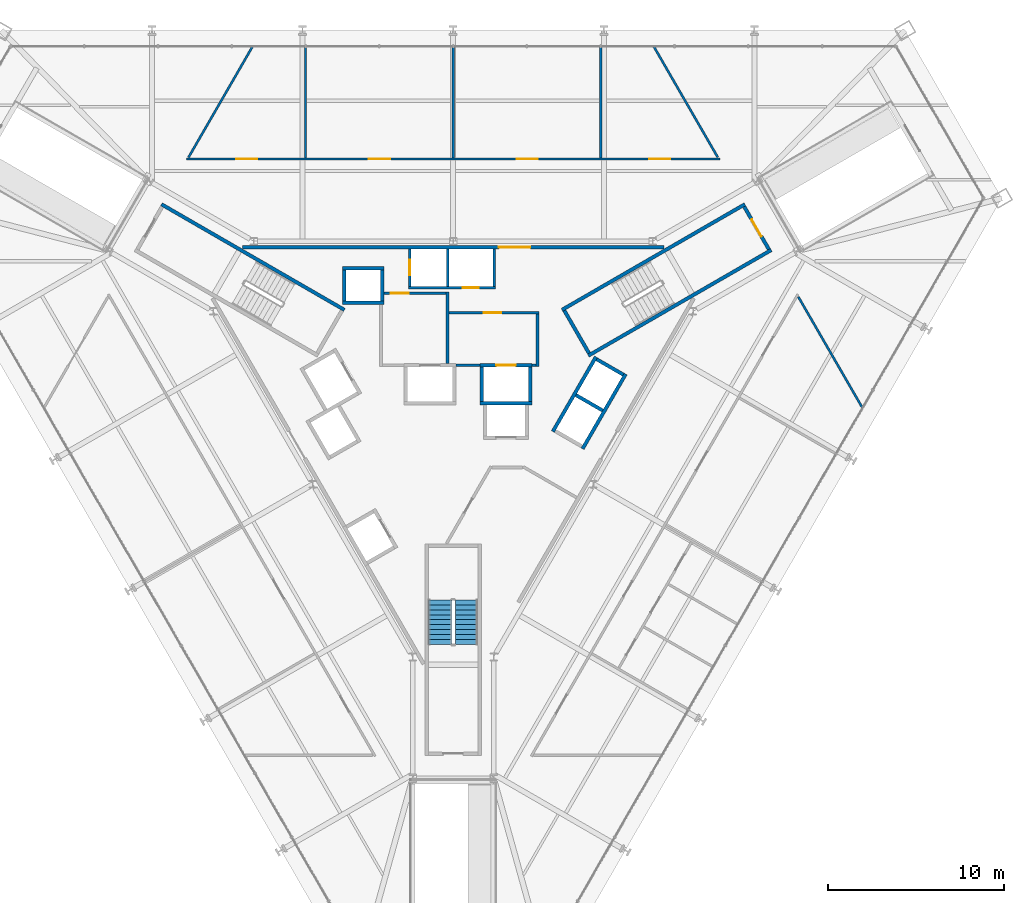
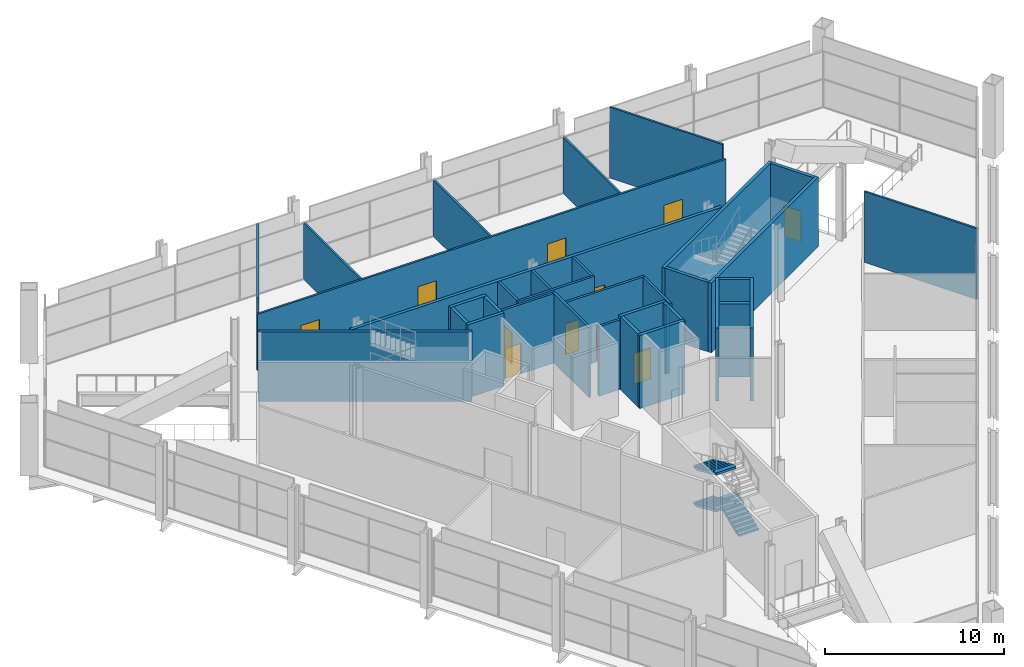
# One storey, part 14 of 20: 35 walls, 11 doors, 3 stair flights, 11 openings, 1 element without a shape of its own.
"""IFC4 building model written with IfcOpenShell, lengths in metres."""

from ifc_helpers import new_model, si_unit, direction, frame, frame_2d, origin, place, context, subcontext, project, spatial, polyline, rectangle, outline, extrude, material, layer, layer_set, type_object, element, fill, aggregate, save


model = new_model("IFC4")

# Units and contexts
model_context = context("Model", 3, precision=1e-05, world=origin(), true_north=direction((0.0, 1.0)))
body_context = subcontext(model_context, "Body", "Model", "MODEL_VIEW")
ifc_project = project(units=[si_unit("LENGTHUNIT", "METRE"), si_unit("AREAUNIT", "SQUARE_METRE"), si_unit("VOLUMEUNIT", "CUBIC_METRE"), si_unit("PLANEANGLEUNIT", "RADIAN"), si_unit("MASSUNIT", "GRAM", prefix="KILO")], contexts=[model_context])

# Site, building, storey
site_placement = place(None, origin())
site = spatial("IfcSite", under=ifc_project, at=site_placement, CompositionType="ELEMENT")
building_placement = place(site_placement, origin())
building = spatial("IfcBuilding", under=site, at=building_placement, Name="Verrane Prism Tower", CompositionType="ELEMENT")
storey_placement = place(building_placement, frame((0.0, 0.0, 17.39990234375)))
storey = spatial("IfcBuildingStorey", under=building, at=storey_placement, Name="L02", CompositionType="ELEMENT", Elevation=17.39990234375)

# Walls
ifc_material_1 = material(Name="Gypsum board partition", Category="other")
ifc_layer_1 = layer(ifc_material_1, 0.125)
ifc_layer_set_1 = layer_set([ifc_layer_1], Name="BW-125 demising wall 1 h")
wall_type_1 = type_object("IfcWallType", Name="BW-125 demising wall 1 h", PredefinedType="PARTITIONING", material=ifc_layer_set_1)
for number, where, z_axis, x_axis, name in (
    (1, (-8.383056640625, 13.9326171875, 0.0), (0.0, 0.0, 1.0), (0.0, 1.0, 0.0), "Demising wall 008"),
    (2, (0.0, 13.9326171875, 0.0), (0.0, 0.0, 1.0), (0.0, 1.0, 0.0), "Demising wall 009"),
    (3, (8.383056640625, 13.9326171875, 0.0), (0.0, 0.0, 1.0), (0.0, 1.0, 0.0), "Demising wall 013"),
):
    element("IfcWall", number, at=place(storey_placement, frame(where, z_axis=z_axis, x_axis=x_axis)), inside=storey, type_object=wall_type_1, Name=name, PredefinedType="PARTITIONING", context=body_context, shape_type="SweptSolid", body=[
        extrude(rectangle(XDim=6.33740234375, YDim=0.125, at=frame_2d((3.168701171875, 0.0))), origin(), (0.0, 0.0, 1.0), 3.85302734375),
    ])
ifc_material_2 = material(Name="Gypsum board partition", Category="other")
ifc_layer_2 = layer(ifc_material_2, 0.125)
ifc_layer_set_2 = layer_set([ifc_layer_2], Name="BW-125 shopfront wall 1 h")
wall_type_2 = type_object("IfcWallType", Name="BW-125 shopfront wall 1 h", PredefinedType="PARTITIONING", material=ifc_layer_set_2)
wall_1_placement = place(storey_placement, frame((-15.033447265625, 13.9609375, 0.0), z_axis=(0.0, 0.0, 1.0), x_axis=(0.499977739203, 0.86603825568, 0.0)))
element("IfcWall", 4, at=wall_1_placement, inside=storey, type_object=wall_type_2, Name="Shopfront wall 004", PredefinedType="PARTITIONING", context=body_context, shape_type="SweptSolid", body=[
    extrude(rectangle(XDim=7.284912109375, YDim=0.125, at=frame_2d((3.642578125, 0.0))), origin(), (0.0, 0.0, 1.0), 4.840087890625),
])

# Wall, openings, doors
wall_2_placement = place(storey_placement, frame((-15.1484375, 13.8701171875, 0.0), z_axis=(0.0, 0.0, 1.0), x_axis=(1.0, 0.0, 0.0)))
wall_2 = element("IfcWall", 5, at=wall_2_placement, inside=storey, type_object=wall_type_2, Name="Shopfront wall 005", PredefinedType="PARTITIONING", context=body_context, shape_type="SweptSolid", body=[
    extrude(rectangle(XDim=30.296875, YDim=0.125, at=frame_2d((15.1484375, 0.0))), origin(), (0.0, 0.0, 1.0), 3.85302734375),
])
opening_1_placement = place(wall_2_placement, frame((26.281494140625, 0.0, 0.0)))
opening_1 = element("IfcOpeningElement", 6, at=opening_1_placement, cuts=wall_2, Name="Opening D02001", PredefinedType="OPENING", context=body_context, shape_type="SweptSolid", body=[
    extrude(rectangle(XDim=1.199951171875, YDim=2.10009765625, at=frame_2d((0.60009765625, 1.050048828125))), frame((0.0, 0.072509765625, 0.0), z_axis=(0.0, -1.0, 0.0), x_axis=(1.0, 0.0, 0.0)), (0.0, 0.0, 1.0), 0.14501953125),
])
opening_2_placement = place(wall_2_placement, frame((18.74853515625, 0.0, 0.0)))
opening_2 = element("IfcOpeningElement", 7, at=opening_2_placement, cuts=wall_2, Name="Opening D02002", PredefinedType="OPENING", context=body_context, shape_type="SweptSolid", body=[
    extrude(rectangle(XDim=1.199951171875, YDim=2.10009765625, at=frame_2d((0.60009765625, 1.050048828125))), frame((0.0, 0.072509765625, 0.0), z_axis=(0.0, -1.0, 0.0), x_axis=(1.0, 0.0, 0.0)), (0.0, 0.0, 1.0), 0.14501953125),
])
opening_3_placement = place(wall_2_placement, frame((10.365478515625, 0.0, 0.0)))
opening_3 = element("IfcOpeningElement", 8, at=opening_3_placement, cuts=wall_2, Name="Opening D02003", PredefinedType="OPENING", context=body_context, shape_type="SweptSolid", body=[
    extrude(rectangle(XDim=1.199951171875, YDim=2.10009765625, at=frame_2d((0.60009765625, 1.050048828125))), frame((0.0, 0.072509765625, 0.0), z_axis=(0.0, -1.0, 0.0), x_axis=(1.0, 0.0, 0.0)), (0.0, 0.0, 1.0), 0.14501953125),
])
opening_4_placement = place(wall_2_placement, frame((2.8125, 0.0, 0.0)))
opening_4 = element("IfcOpeningElement", 9, at=opening_4_placement, cuts=wall_2, Name="Opening D02004", PredefinedType="OPENING", context=body_context, shape_type="SweptSolid", body=[
    extrude(rectangle(XDim=1.199951171875, YDim=2.10009765625, at=frame_2d((0.60009765625, 1.050048828125))), frame((0.0, 0.072509765625, 0.0), z_axis=(0.0, -1.0, 0.0), x_axis=(1.0, 0.0, 0.0)), (0.0, 0.0, 1.0), 0.14501953125),
])
ifc_material_3 = material(Name="Timber veneered door leaf", Category="wood")
door_type_1 = type_object("IfcDoorType", Name="DR-1200x2100 FD20 single leaf shopfront", OperationType="NOTDEFINED", PredefinedType="DOOR", material=ifc_material_3)
door_1_placement = place(opening_1_placement, origin())
door_1 = element("IfcDoor", 10, at=door_1_placement, inside=storey, type_object=door_type_1, Name="Door Shop 0201", OperationType="SINGLE_SWING_LEFT", OverallHeight=2.10009765625, OverallWidth=1.199951171875, PredefinedType="DOOR", context=body_context, shape_type="SweptSolid", body=[
    extrude(rectangle(XDim=1.199951171875, YDim=2.10009765625, at=frame_2d((0.60009765625, 1.050048828125))), frame((0.0, 0.02490234375, 0.0), z_axis=(0.0, -1.0, 0.0), x_axis=(1.0, 0.0, 0.0)), (0.0, 0.0, 1.0), 0.050048828125),
])
fill(opening_1, door_1)
door_2_placement = place(opening_2_placement, origin())
door_2 = element("IfcDoor", 11, at=door_2_placement, inside=storey, type_object=door_type_1, Name="Door Shop 0202", OperationType="SINGLE_SWING_RIGHT", OverallHeight=2.10009765625, OverallWidth=1.199951171875, PredefinedType="DOOR", context=body_context, shape_type="SweptSolid", body=[
    extrude(rectangle(XDim=1.199951171875, YDim=2.10009765625, at=frame_2d((0.60009765625, 1.050048828125))), frame((0.0, 0.02490234375, 0.0), z_axis=(0.0, -1.0, 0.0), x_axis=(1.0, 0.0, 0.0)), (0.0, 0.0, 1.0), 0.050048828125),
])
fill(opening_2, door_2)
door_3_placement = place(opening_3_placement, origin())
door_3 = element("IfcDoor", 12, at=door_3_placement, inside=storey, type_object=door_type_1, Name="Door Shop 0203", OperationType="SINGLE_SWING_LEFT", OverallHeight=2.10009765625, OverallWidth=1.199951171875, PredefinedType="DOOR", context=body_context, shape_type="SweptSolid", body=[
    extrude(rectangle(XDim=1.199951171875, YDim=2.10009765625, at=frame_2d((0.60009765625, 1.050048828125))), frame((0.0, 0.02490234375, 0.0), z_axis=(0.0, -1.0, 0.0), x_axis=(1.0, 0.0, 0.0)), (0.0, 0.0, 1.0), 0.050048828125),
])
fill(opening_3, door_3)
door_4_placement = place(opening_4_placement, origin())
door_4 = element("IfcDoor", 13, at=door_4_placement, inside=storey, type_object=door_type_1, Name="Door Shop 0204", OperationType="SINGLE_SWING_RIGHT", OverallHeight=2.10009765625, OverallWidth=1.199951171875, PredefinedType="DOOR", context=body_context, shape_type="SweptSolid", body=[
    extrude(rectangle(XDim=1.199951171875, YDim=2.10009765625, at=frame_2d((0.60009765625, 1.050048828125))), frame((0.0, 0.02490234375, 0.0), z_axis=(0.0, -1.0, 0.0), x_axis=(1.0, 0.0, 0.0)), (0.0, 0.0, 1.0), 0.050048828125),
])
fill(opening_4, door_4)

# Walls
wall_3_placement = place(storey_placement, frame((11.39111328125, 20.27001953125, 0.0), z_axis=(0.0, 0.0, 1.0), x_axis=(0.499977739203, -0.86603825568, 0.0)))
element("IfcWall", 14, at=wall_3_placement, inside=storey, type_object=wall_type_2, Name="Shopfront wall 016", PredefinedType="PARTITIONING", context=body_context, shape_type="SweptSolid", body=[
    extrude(rectangle(XDim=7.284912109375, YDim=0.125, at=frame_2d((3.642578125, 0.0))), origin(), (0.0, 0.0, 1.0), 4.840087890625),
])
wall_4_placement = place(storey_placement, frame((19.607421875, 6.0390625, 0.0), z_axis=(0.0, 0.0, 1.0), x_axis=(0.500002873931, -0.866023744513, 0.0)))
element("IfcWall", 15, at=wall_4_placement, inside=storey, type_object=wall_type_2, Name="Shopfront wall 020", PredefinedType="PARTITIONING", context=body_context, shape_type="SweptSolid", body=[
    extrude(rectangle(XDim=7.28515625, YDim=0.125, at=frame_2d((3.642578125, 0.0))), origin(), (0.0, 0.0, 1.0), 4.840087890625),
])

# Wall, opening, door
ifc_material_4 = material(Name="Gypsum board partition", Category="other")
ifc_layer_3 = layer(ifc_material_4, 0.199951171875)
ifc_layer_set_3 = layer_set([ifc_layer_3], Name="CW-200 core boundary wall 2 h")
wall_type_3 = type_object("IfcWallType", Name="CW-200 core boundary wall 2 h", PredefinedType="PARTITIONING", material=ifc_layer_set_3)
wall_5_placement = place(storey_placement, frame((11.986083984375, 8.860107421875, 0.0), z_axis=(0.0, 0.0, 1.0), x_axis=(-1.0, 0.0, 0.0)))
wall_5 = element("IfcWall", 16, at=wall_5_placement, inside=storey, type_object=wall_type_3, Name="Core boundary wall CW3-002", PredefinedType="PARTITIONING", context=body_context, shape_type="SweptSolid", body=[
    extrude(rectangle(XDim=23.967041015625, YDim=0.199951171875, at=frame_2d((11.9833984375, 0.0))), origin(), (0.0, 0.0, 1.0), 4.75),
])
opening_5_placement = place(wall_5_placement, frame((7.595947265625, 0.0, 0.0)))
opening_5 = element("IfcOpeningElement", 17, at=opening_5_placement, cuts=wall_5, Name="Opening D02509", PredefinedType="OPENING", context=body_context, shape_type="SweptSolid", body=[
    extrude(rectangle(XDim=1.800048828125, YDim=2.10009765625, at=frame_2d((0.89990234375, 1.050048828125))), frame((0.0, 0.10986328125, 0.0), z_axis=(0.0, -1.0, 0.0), x_axis=(1.0, 0.0, 0.0)), (0.0, 0.0, 1.0), 0.219970703125),
])
ifc_material_5 = material(Name="Timber veneered door leaf", Category="wood")
door_type_2 = type_object("IfcDoorType", Name="DR-1800x2100 FD60 double leaf lift lobby", OperationType="NOTDEFINED", PredefinedType="DOOR", material=ifc_material_5)
door_5_placement = place(opening_5_placement, origin())
door_5 = element("IfcDoor", 18, at=door_5_placement, inside=storey, type_object=door_type_2, Name="Lift lobby door D02509", OperationType="DOUBLE_DOOR_SINGLE_SWING", OverallHeight=2.10009765625, OverallWidth=1.800048828125, PredefinedType="DOOR", context=body_context, shape_type="SweptSolid", body=[
    extrude(rectangle(XDim=1.800048828125, YDim=2.10009765625, at=frame_2d((0.89990234375, 1.050048828125))), frame((0.0, 0.02490234375, 0.0), z_axis=(0.0, -1.0, 0.0), x_axis=(1.0, 0.0, 0.0)), (0.0, 0.0, 1.0), 0.050048828125),
])
fill(opening_5, door_5)

ifc_material_6 = material(Name="Concrete C40/50", Category="concrete")
ifc_layer_4 = layer(ifc_material_6, 0.199951171875)
ifc_layer_set_4 = layer_set([ifc_layer_4], Name="CW-200 stair core wall concrete C40/50 3 h")
wall_type_4 = type_object("IfcWallType", Name="CW-200 stair core wall concrete C40/50 3 h", PredefinedType="PARTITIONING", material=ifc_layer_set_4)
wall_6_placement = place(storey_placement, frame((17.933837890625, 8.737548828125, 0.0), z_axis=(0.0, 0.0, 1.0), x_axis=(-0.49998411664, 0.866034573852, 0.0)))
wall_6 = element("IfcWall", 19, at=wall_6_placement, inside=storey, type_object=wall_type_4, Name="Stair 1 enclosure wall", PredefinedType="PARTITIONING", context=body_context, shape_type="SweptSolid", body=[
    extrude(rectangle(XDim=2.7998046875, YDim=0.199951171875, at=frame_2d((1.39990234375, 0.0))), origin(), (0.0, 0.0, 1.0), 4.75),
])
opening_6_placement = place(wall_6_placement, frame((0.849853515625, 0.0, 0.0)))
opening_6 = element("IfcOpeningElement", 20, at=opening_6_placement, cuts=wall_6, Name="Opening D02500", PredefinedType="OPENING", context=body_context, shape_type="SweptSolid", body=[
    extrude(rectangle(XDim=1.10009765625, YDim=2.10009765625, at=frame_2d((0.550048828125, 1.050048828125))), frame((0.0, 0.10986328125, 0.0), z_axis=(0.0, -1.0, 0.0), x_axis=(1.0, 0.0, 0.0)), (0.0, 0.0, 1.0), 0.219970703125),
])
ifc_material_7 = material(Name="Timber veneered door leaf", Category="wood")
door_type_3 = type_object("IfcDoorType", Name="DR-1100x2100 FD90 single leaf stair", OperationType="NOTDEFINED", PredefinedType="DOOR", material=ifc_material_7)
door_6_placement = place(opening_6_placement, origin())
door_6 = element("IfcDoor", 21, at=door_6_placement, inside=storey, type_object=door_type_3, Name="Stair 1 door", OperationType="SINGLE_SWING_LEFT", OverallHeight=2.10009765625, OverallWidth=1.10009765625, PredefinedType="DOOR", context=body_context, shape_type="SweptSolid", body=[
    extrude(rectangle(XDim=1.10009765625, YDim=2.10009765625, at=frame_2d((0.550048828125, 1.050048828125))), frame((0.0, 0.02490234375, 0.0), z_axis=(0.0, -1.0, 0.0), x_axis=(1.0, 0.0, 0.0)), (0.0, 0.0, 1.0), 0.050048828125),
])
fill(opening_6, door_6)

# Walls
for number, where, z_axis, x_axis, name in (
    (22, (6.17822265625, 5.299072265625, 0.0), (0.0, 0.0, 1.0), (0.866026010844, 0.49999894854, 0.0), "Stair 1 enclosure wall"),
    (23, (7.67822265625, 2.700927734375, 0.0), (0.0, 0.0, 1.0), (0.866026010844, 0.49999894854, 0.0), "Stair 1 enclosure wall"),
):
    element("IfcWall", number, at=place(storey_placement, frame(where, z_axis=z_axis, x_axis=x_axis)), inside=storey, type_object=wall_type_4, Name=name, PredefinedType="PARTITIONING", context=body_context, shape_type="SweptSolid", body=[
        extrude(rectangle(XDim=12.0, YDim=0.199951171875, at=frame_2d((6.0, 0.0))), origin(), (0.0, 0.0, 1.0), 4.75),
    ])
wall_7_placement = place(storey_placement, frame((7.71484375, 2.837646484375, 0.0), z_axis=(0.0, 0.0, 1.0), x_axis=(-0.500049511043, 0.865996816683, 0.0)))
element("IfcWall", 24, at=wall_7_placement, inside=storey, type_object=wall_type_4, Name="Stair 1 enclosure wall", PredefinedType="PARTITIONING", context=body_context, shape_type="SweptSolid", body=[
    extrude(rectangle(XDim=2.800048828125, YDim=0.199951171875, at=frame_2d((1.39990234375, 0.0))), origin(), (0.0, 0.0, 1.0), 4.75),
])
wall_8_placement = place(storey_placement, frame((-6.17822265625, 5.299072265625, 0.0), z_axis=(0.0, 0.0, 1.0), x_axis=(-0.866026010844, 0.49999894854, 0.0)))
element("IfcWall", 25, at=wall_8_placement, inside=storey, type_object=wall_type_4, Name="Stair 2 enclosure wall", PredefinedType="PARTITIONING", context=body_context, shape_type="SweptSolid", body=[
    extrude(rectangle(XDim=12.0, YDim=0.199951171875, at=frame_2d((6.0, 0.0))), origin(), (0.0, 0.0, 1.0), 4.75),
])
ifc_material_8 = material(Name="Gypsum board shaft wall assembly", Category="other")
ifc_layer_5 = layer(ifc_material_8, 0.199951171875)
ifc_layer_set_5 = layer_set([ifc_layer_5], Name="HW-200 lift shaft wall 2 h")
wall_type_5 = type_object("IfcWallType", Name="HW-200 lift shaft wall 2 h", PredefinedType="PARTITIONING", material=ifc_layer_set_5)
wall_9_placement = place(storey_placement, frame((1.52490234375, 0.0, 0.0), z_axis=(0.0, 0.0, 1.0), x_axis=(1.0, 0.0, 0.0)))
element("IfcWall", 26, at=wall_9_placement, inside=storey, type_object=wall_type_5, Name="Lift shaft wall", PredefinedType="PARTITIONING", context=body_context, shape_type="SweptSolid", body=[
    extrude(rectangle(XDim=2.9501953125, YDim=0.199951171875, at=frame_2d((1.47509765625, 0.0))), origin(), (0.0, 0.0, 1.0), 5.0),
])

# Wall, opening, door
wall_10_placement = place(storey_placement, frame((1.52490234375, 2.14990234375, 0.0), z_axis=(0.0, 0.0, 1.0), x_axis=(1.0, 0.0, 0.0)))
wall_10 = element("IfcWall", 27, at=wall_10_placement, inside=storey, type_object=wall_type_5, Name="Lift shaft wall", PredefinedType="PARTITIONING", context=body_context, shape_type="SweptSolid", body=[
    extrude(rectangle(XDim=2.9501953125, YDim=0.199951171875, at=frame_2d((1.47509765625, 0.0))), origin(), (0.0, 0.0, 1.0), 5.0),
])
opening_7_placement = place(wall_10_placement, frame((0.925048828125, 0.0, 0.0)))
opening_7 = element("IfcOpeningElement", 28, at=opening_7_placement, cuts=wall_10, Name="Opening D02504", PredefinedType="OPENING", context=body_context, shape_type="SweptSolid", body=[
    extrude(rectangle(XDim=1.10009765625, YDim=2.10009765625, at=frame_2d((0.550048828125, 1.050048828125))), frame((0.0, 0.10986328125, 0.0), z_axis=(0.0, -1.0, 0.0), x_axis=(1.0, 0.0, 0.0)), (0.0, 0.0, 1.0), 0.219970703125),
])
ifc_material_9 = material(Name="Stainless steel sliding landing door", Category="steel")
door_type_4 = type_object("IfcDoorType", Name="LD-1100x2100 lift landing door FD90 sliding", OperationType="NOTDEFINED", PredefinedType="DOOR", material=ifc_material_9)
door_7_placement = place(opening_7_placement, origin())
door_7 = element("IfcDoor", 29, at=door_7_placement, inside=storey, type_object=door_type_4, Name="Fire service lift 2 landing door", OperationType="SLIDING_TO_RIGHT", OverallHeight=2.10009765625, OverallWidth=1.10009765625, PredefinedType="DOOR", context=body_context, shape_type="SweptSolid", body=[
    extrude(rectangle(XDim=1.10009765625, YDim=2.10009765625, at=frame_2d((0.550048828125, 1.050048828125))), frame((0.0, 0.02490234375, 0.0), z_axis=(0.0, -1.0, 0.0), x_axis=(1.0, 0.0, 0.0)), (0.0, 0.0, 1.0), 0.050048828125),
])
fill(opening_7, door_7)

# Walls
for number, where, z_axis, x_axis, name in (
    (30, (-6.284912109375, 5.7099609375, 0.0), (0.0, 0.0, 1.0), (1.0, 0.0, 0.0), "Lift shaft wall"),
    (31, (-6.284912109375, 7.659912109375, 0.0), (0.0, 0.0, 1.0), (1.0, 0.0, 0.0), "Lift shaft wall"),
):
    element("IfcWall", number, at=place(storey_placement, frame(where, z_axis=z_axis, x_axis=x_axis)), inside=storey, type_object=wall_type_5, Name=name, PredefinedType="PARTITIONING", context=body_context, shape_type="SweptSolid", body=[
        extrude(rectangle(XDim=2.349853515625, YDim=0.199951171875, at=frame_2d((1.1748046875, 0.0))), origin(), (0.0, 0.0, 1.0), 5.0),
    ])
wall_11_placement = place(storey_placement, frame((7.351318359375, -2.587158203125, 0.0), z_axis=(0.0, 0.0, 1.0), x_axis=(0.500002801628, 0.866023786258, 0.0)))
element("IfcWall", 32, at=wall_11_placement, inside=storey, type_object=wall_type_5, Name="Lift shaft wall", PredefinedType="PARTITIONING", context=body_context, shape_type="SweptSolid", body=[
    extrude(rectangle(XDim=4.89990234375, YDim=0.199951171875, at=frame_2d((2.449951171875, 0.0))), origin(), (0.0, 0.0, 1.0), 5.0),
])
wall_12_placement = place(storey_placement, frame((5.66259765625, -1.6123046875, 0.0), z_axis=(0.0, 0.0, 1.0), x_axis=(0.49998122708, 0.866036242063, 0.0)))
element("IfcWall", 33, at=wall_12_placement, inside=storey, type_object=wall_type_5, Name="Lift shaft wall", PredefinedType="PARTITIONING", context=body_context, shape_type="SweptSolid", body=[
    extrude(rectangle(XDim=4.900146484375, YDim=0.199951171875, at=frame_2d((2.4501953125, 0.0))), origin(), (0.0, 0.0, 1.0), 5.0),
])
for number, where, z_axis, x_axis, name in (
    (34, (4.375, 0.10009765625, 0.0), (0.0, 0.0, 1.0), (0.0, 1.0, 0.0), "Lift shaft wall"),
    (35, (1.625, 0.10009765625, 0.0), (0.0, 0.0, 1.0), (0.0, 1.0, 0.0), "Lift shaft wall"),
):
    element("IfcWall", number, at=place(storey_placement, frame(where, z_axis=z_axis, x_axis=x_axis)), inside=storey, type_object=wall_type_5, Name=name, PredefinedType="PARTITIONING", context=body_context, shape_type="SweptSolid", body=[
        extrude(rectangle(XDim=1.949951171875, YDim=0.199951171875, at=frame_2d((0.97509765625, 0.0))), origin(), (0.0, 0.0, 1.0), 5.0),
    ])
for number, where, z_axis, x_axis, name in (
    (36, (-4.034912109375, 5.81005859375, 0.0), (0.0, 0.0, 1.0), (0.0, 1.0, 0.0), "Lift shaft wall"),
    (37, (-6.18505859375, 5.81005859375, 0.0), (0.0, 0.0, 1.0), (0.0, 1.0, 0.0), "Lift shaft wall"),
):
    element("IfcWall", number, at=place(storey_placement, frame(where, z_axis=z_axis, x_axis=x_axis)), inside=storey, type_object=wall_type_5, Name=name, PredefinedType="PARTITIONING", context=body_context, shape_type="SweptSolid", body=[
        extrude(rectangle(XDim=1.75, YDim=0.199951171875, at=frame_2d((0.875, 0.0))), origin(), (0.0, 0.0, 1.0), 5.0),
    ])
wall_13_placement = place(storey_placement, frame((9.66455078125, 1.61962890625, 0.0), z_axis=(0.0, 0.0, 1.0), x_axis=(-0.866002029911, 0.500040482552, 0.0)))
element("IfcWall", 38, at=wall_13_placement, inside=storey, type_object=wall_type_5, Name="Lift shaft wall", PredefinedType="PARTITIONING", context=body_context, shape_type="SweptSolid", body=[
    extrude(rectangle(XDim=1.749755859375, YDim=0.199951171875, at=frame_2d((0.875, 0.0))), origin(), (0.0, 0.0, 1.0), 5.0),
])
wall_14_placement = place(storey_placement, frame((8.48974609375, -0.41552734375, 0.0), z_axis=(0.0, 0.0, 1.0), x_axis=(-0.866036909293, 0.499980071345, 0.0)))
element("IfcWall", 39, at=wall_14_placement, inside=storey, type_object=wall_type_5, Name="Lift shaft wall", PredefinedType="PARTITIONING", context=body_context, shape_type="SweptSolid", body=[
    extrude(rectangle(XDim=1.75, YDim=0.199951171875, at=frame_2d((0.875, 0.0))), origin(), (0.0, 0.0, 1.0), 5.0),
])

# Wall, opening, door
ifc_material_10 = material(Name="Gypsum board partition", Category="other")
ifc_layer_6 = layer(ifc_material_10, 0.14990234375)
ifc_layer_set_6 = layer_set([ifc_layer_6], Name="LF-150 firefighting lobby wall 1 h")
wall_type_6 = type_object("IfcWallType", Name="LF-150 firefighting lobby wall 1 h", PredefinedType="PARTITIONING", material=ifc_layer_set_6)
wall_15_placement = place(storey_placement, frame((-3.93310546875, 6.239990234375, 0.0), z_axis=(0.0, 0.0, 1.0), x_axis=(1.0, 0.0, 0.0)))
wall_15 = element("IfcWall", 40, at=wall_15_placement, inside=storey, type_object=wall_type_6, Name="Firefighting lobby wall LF1-003", PredefinedType="PARTITIONING", context=body_context, shape_type="SweptSolid", body=[
    extrude(rectangle(XDim=3.5380859375, YDim=0.14990234375, at=frame_2d((1.76904296875, 0.0))), origin(), (0.0, 0.0, 1.0), 4.75),
])
opening_8_placement = place(wall_15_placement, frame((0.39990234375, 0.0, 0.0)))
opening_8 = element("IfcOpeningElement", 41, at=opening_8_placement, cuts=wall_15, Name="Opening D02510", PredefinedType="OPENING", context=body_context, shape_type="SweptSolid", body=[
    extrude(rectangle(XDim=1.0, YDim=2.10009765625, at=frame_2d((0.5, 1.050048828125))), frame((0.0, 0.0849609375, 0.0), z_axis=(0.0, -1.0, 0.0), x_axis=(1.0, 0.0, 0.0)), (0.0, 0.0, 1.0), 0.169921875),
])
ifc_material_11 = material(Name="Timber veneered door leaf", Category="wood")
door_type_5 = type_object("IfcDoorType", Name="DR-1000x2100 FD60 single leaf firefighting lobby", OperationType="NOTDEFINED", PredefinedType="DOOR", material=ifc_material_11)
door_8_placement = place(opening_8_placement, origin())
door_8 = element("IfcDoor", 42, at=door_8_placement, inside=storey, type_object=door_type_5, Name="Firefighting lobby door D02510", OperationType="SINGLE_SWING_LEFT", OverallHeight=2.10009765625, OverallWidth=1.0, PredefinedType="DOOR", context=body_context, shape_type="SweptSolid", body=[
    extrude(rectangle(XDim=1.0, YDim=2.10009765625, at=frame_2d((0.5, 1.050048828125))), frame((0.0, 0.02490234375, 0.0), z_axis=(0.0, -1.0, 0.0), x_axis=(1.0, 0.0, 0.0)), (0.0, 0.0, 1.0), 0.050048828125),
])
fill(opening_8, door_8)

# Wall
wall_16_placement = place(storey_placement, frame((-0.320068359375, 2.251953125, 0.0), z_axis=(0.0, 0.0, 1.0), x_axis=(0.0, 1.0, 0.0)))
element("IfcWall", 43, at=wall_16_placement, inside=storey, type_object=wall_type_6, Name="Firefighting lobby wall LF1-004", PredefinedType="PARTITIONING", context=body_context, shape_type="SweptSolid", body=[
    extrude(rectangle(XDim=4.06298828125, YDim=0.14990234375, at=frame_2d((2.031494140625, 0.0))), origin(), (0.0, 0.0, 1.0), 4.75),
])

# Wall, opening, door
wall_17_placement = place(storey_placement, frame((-0.2451171875, 5.139892578125, 0.0), z_axis=(0.0, 0.0, 1.0), x_axis=(1.0, 0.0, 0.0)))
wall_17 = element("IfcWall", 44, at=wall_17_placement, inside=storey, type_object=wall_type_6, Name="Firefighting lobby wall LF1-005", PredefinedType="PARTITIONING", context=body_context, shape_type="SweptSolid", body=[
    extrude(rectangle(XDim=5.110107421875, YDim=0.14990234375, at=frame_2d((2.55517578125, 0.0))), origin(), (0.0, 0.0, 1.0), 4.75),
])
opening_9_placement = place(wall_17_placement, frame((1.97509765625, 0.0, 0.0)))
opening_9 = element("IfcOpeningElement", 45, at=opening_9_placement, cuts=wall_17, Name="Opening D02514", PredefinedType="OPENING", context=body_context, shape_type="SweptSolid", body=[
    extrude(rectangle(XDim=1.0, YDim=2.10009765625, at=frame_2d((0.5, 1.050048828125))), frame((0.0, 0.0849609375, 0.0), z_axis=(0.0, -1.0, 0.0), x_axis=(1.0, 0.0, 0.0)), (0.0, 0.0, 1.0), 0.169921875),
])
door_9_placement = place(opening_9_placement, origin())
door_9 = element("IfcDoor", 46, at=door_9_placement, inside=storey, type_object=door_type_5, Name="Firefighting lobby door D02514", OperationType="SINGLE_SWING_RIGHT", OverallHeight=2.10009765625, OverallWidth=1.0, PredefinedType="DOOR", context=body_context, shape_type="SweptSolid", body=[
    extrude(rectangle(XDim=1.0, YDim=2.10009765625, at=frame_2d((0.5, 1.050048828125))), frame((0.0, 0.02490234375, 0.0), z_axis=(0.0, -1.0, 0.0), x_axis=(1.0, 0.0, 0.0)), (0.0, 0.0, 1.0), 0.050048828125),
])
fill(opening_9, door_9)

# Walls
wall_18_placement = place(storey_placement, frame((0.1669921875, 2.159912109375, 0.0), z_axis=(0.0, 0.0, 1.0), x_axis=(1.0, 0.0, 0.0)))
element("IfcWall", 47, at=wall_18_placement, inside=storey, type_object=wall_type_6, Name="Firefighting lobby wall LF1-006", PredefinedType="PARTITIONING", context=body_context, shape_type="SweptSolid", body=[
    extrude(rectangle(XDim=1.35595703125, YDim=0.14990234375, at=frame_2d((0.677978515625, 0.0))), origin(), (0.0, 0.0, 1.0), 4.75),
])
wall_19_placement = place(storey_placement, frame((4.47705078125, 2.159912109375, 0.0), z_axis=(0.0, 0.0, 1.0), x_axis=(1.0, 0.0, 0.0)))
element("IfcWall", 48, at=wall_19_placement, inside=storey, type_object=wall_type_6, Name="Firefighting lobby wall LF1-007", PredefinedType="PARTITIONING", context=body_context, shape_type="SweptSolid", body=[
    extrude(rectangle(XDim=0.238037109375, YDim=0.14990234375, at=frame_2d((0.119140625, 0.0))), origin(), (0.0, 0.0, 1.0), 4.75),
])
wall_20_placement = place(storey_placement, frame((4.7900390625, 2.0849609375, 0.0), z_axis=(0.0, 0.0, 1.0), x_axis=(0.0, 1.0, 0.0)))
element("IfcWall", 49, at=wall_20_placement, inside=storey, type_object=wall_type_6, Name="Firefighting lobby wall LF1-008", PredefinedType="PARTITIONING", context=body_context, shape_type="SweptSolid", body=[
    extrude(rectangle(XDim=2.97998046875, YDim=0.14990234375, at=frame_2d((1.489990234375, 0.0))), origin(), (0.0, 0.0, 1.0), 4.75),
])

# Wall, opening, door
ifc_material_12 = material(Name="Gypsum board partition", Category="other")
ifc_layer_7 = layer(ifc_material_12, 0.14990234375)
ifc_layer_set_7 = layer_set([ifc_layer_7], Name="RS-150 riser enclosure wall 1 h")
wall_type_7 = type_object("IfcWallType", Name="RS-150 riser enclosure wall 1 h", PredefinedType="PARTITIONING", material=ifc_layer_set_7)
wall_21_placement = place(storey_placement, frame((-2.4599609375, 8.760009765625, 0.0), z_axis=(0.0, 0.0, 1.0), x_axis=(0.0, -1.0, 0.0)))
wall_21 = element("IfcWall", 50, at=wall_21_placement, inside=storey, type_object=wall_type_7, Name="Riser wall RS3-001", PredefinedType="PARTITIONING", context=body_context, shape_type="SweptSolid", body=[
    extrude(rectangle(XDim=2.125, YDim=0.14990234375, at=frame_2d((1.0625, 0.0))), origin(), (0.0, 0.0, 1.0), 4.75),
])
opening_10_placement = place(wall_21_placement, frame((0.60009765625, 0.0, 0.0)))
opening_10 = element("IfcOpeningElement", 51, at=opening_10_placement, cuts=wall_21, Name="Opening D02511", PredefinedType="OPENING", context=body_context, shape_type="SweptSolid", body=[
    extrude(rectangle(XDim=0.89990234375, YDim=2.10009765625, at=frame_2d((0.449951171875, 1.050048828125))), frame((0.0, 0.0849609375, 0.0), z_axis=(0.0, -1.0, 0.0), x_axis=(1.0, 0.0, 0.0)), (0.0, 0.0, 1.0), 0.169921875),
])
ifc_material_13 = material(Name="Timber veneered door leaf", Category="wood")
door_type_6 = type_object("IfcDoorType", Name="DR-900x2100 FD60 single leaf riser", OperationType="NOTDEFINED", PredefinedType="DOOR", material=ifc_material_13)
door_10_placement = place(opening_10_placement, origin())
door_10 = element("IfcDoor", 52, at=door_10_placement, inside=storey, type_object=door_type_6, Name="Riser door D02511", OperationType="SINGLE_SWING_RIGHT", OverallHeight=2.10009765625, OverallWidth=0.89990234375, PredefinedType="DOOR", context=body_context, shape_type="SweptSolid", body=[
    extrude(rectangle(XDim=0.89990234375, YDim=2.10009765625, at=frame_2d((0.449951171875, 1.050048828125))), frame((0.0, 0.02490234375, 0.0), z_axis=(0.0, -1.0, 0.0), x_axis=(1.0, 0.0, 0.0)), (0.0, 0.0, 1.0), 0.050048828125),
])
fill(opening_10, door_10)

wall_22_placement = place(storey_placement, frame((-2.534912109375, 6.56005859375, 0.0), z_axis=(0.0, 0.0, 1.0), x_axis=(1.0, 0.0, 0.0)))
wall_22 = element("IfcWall", 53, at=wall_22_placement, inside=storey, type_object=wall_type_7, Name="Riser wall RS3-002", PredefinedType="PARTITIONING", context=body_context, shape_type="SweptSolid", body=[
    extrude(rectangle(XDim=4.949951171875, YDim=0.14990234375, at=frame_2d((2.47509765625, 0.0))), origin(), (0.0, 0.0, 1.0), 4.75),
])
opening_11_placement = place(wall_22_placement, frame((3.0849609375, 0.0, 0.0)))
opening_11 = element("IfcOpeningElement", 54, at=opening_11_placement, cuts=wall_22, Name="Opening D02512", PredefinedType="OPENING", context=body_context, shape_type="SweptSolid", body=[
    extrude(rectangle(XDim=0.89990234375, YDim=2.10009765625, at=frame_2d((0.449951171875, 1.050048828125))), frame((0.0, 0.0849609375, 0.0), z_axis=(0.0, -1.0, 0.0), x_axis=(1.0, 0.0, 0.0)), (0.0, 0.0, 1.0), 0.169921875),
])
door_11_placement = place(opening_11_placement, origin())
door_11 = element("IfcDoor", 55, at=door_11_placement, inside=storey, type_object=door_type_6, Name="Riser door D02512", OperationType="SINGLE_SWING_RIGHT", OverallHeight=2.10009765625, OverallWidth=0.89990234375, PredefinedType="DOOR", context=body_context, shape_type="SweptSolid", body=[
    extrude(rectangle(XDim=0.89990234375, YDim=2.10009765625, at=frame_2d((0.449951171875, 1.050048828125))), frame((0.0, 0.02490234375, 0.0), z_axis=(0.0, -1.0, 0.0), x_axis=(1.0, 0.0, 0.0)), (0.0, 0.0, 1.0), 0.050048828125),
])
fill(opening_11, door_11)

# Walls
for number, where, z_axis, x_axis, name in (
    (56, (-0.300048828125, 6.635009765625, 0.0), (0.0, 0.0, 1.0), (0.0, 1.0, 0.0), "Riser wall RS3-004"),
    (57, (2.340087890625, 6.635009765625, 0.0), (0.0, 0.0, 1.0), (0.0, 1.0, 0.0), "Riser wall RS3-006"),
):
    element("IfcWall", number, at=place(storey_placement, frame(where, z_axis=z_axis, x_axis=x_axis)), inside=storey, type_object=wall_type_7, Name=name, PredefinedType="PARTITIONING", context=body_context, shape_type="SweptSolid", body=[
        extrude(rectangle(XDim=2.125, YDim=0.14990234375, at=frame_2d((1.0625, 0.0))), origin(), (0.0, 0.0, 1.0), 4.75),
    ])

# Stair, stair flights
ifc_material_14 = material(Name="Concrete C40/50", Category="concrete")
stair_type = type_object("IfcStairType", Name="Exit stair 1300 dog-leg precast concrete C40/50", PredefinedType="HALF_TURN_STAIR", material=ifc_material_14)
stair_placement = place(storey_placement, origin())
stair = element("IfcStair", 58, at=stair_placement, inside=storey, type_object=stair_type, Name="Stair 3 L02", PredefinedType="HALF_TURN_STAIR")
ifc_material_15 = material(Name="Concrete C40/50", Category="concrete")
stair_flight_type = type_object("IfcStairFlightType", Name="Stair flight 1300 precast concrete C40/50", PredefinedType="STRAIGHT", material=ifc_material_15)
stair_flight_1_placement = place(storey_placement, frame((0.75, -13.699951171875, 0.0), z_axis=(0.0, 0.0, 1.0), x_axis=(0.0, 1.0, 0.0)))
stair_flight_1 = element("IfcStairFlight", 59, at=stair_flight_1_placement, type_object=stair_flight_type, Name="Stair 3 flight 1", NumberOfRisers=10, NumberOfTreads=9, PredefinedType="STRAIGHT", RiserHeight=0.125, TreadLength=0.28, context=body_context, shape_type="SweptSolid", body=[
    extrude(outline(polyline([(0.0, 0.0), (0.0, 0.125), (0.280029296875, 0.125), (0.280029296875, 0.25), (0.56005859375, 0.25), (0.56005859375, 0.375), (0.840087890625, 0.375), (0.840087890625, 0.5), (1.1201171875, 0.5), (1.1201171875, 0.625), (1.39990234375, 0.625), (1.39990234375, 0.75), (1.679931640625, 0.75), (1.679931640625, 0.875), (1.9599609375, 0.875), (1.9599609375, 1.0), (2.239990234375, 1.0), (2.239990234375, 1.125), (2.52001953125, 1.125), (2.52001953125, 1.25), (2.52001953125, 0.9609375), (0.36767578125, 0.0), (0.0, 0.0)])), frame((0.0, 0.64990234375, 0.0), z_axis=(0.0, -1.0, 0.0), x_axis=(1.0, 0.0, 0.0)), (0.0, 0.0, 1.0), 1.300048828125),
])
stair_flight_2_placement = place(storey_placement, frame((-0.75, -11.179931640625, 1.25), z_axis=(0.0, 0.0, 1.0), x_axis=(0.0, -1.0, 0.0)))
stair_flight_2 = element("IfcStairFlight", 60, at=stair_flight_2_placement, type_object=stair_flight_type, Name="Stair 3 flight 2", NumberOfRisers=10, NumberOfTreads=9, PredefinedType="STRAIGHT", RiserHeight=0.125, TreadLength=0.28, context=body_context, shape_type="SweptSolid", body=[
    extrude(outline(polyline([(0.0, 0.0), (0.0, 0.125), (0.280029296875, 0.125), (0.280029296875, 0.25), (0.56005859375, 0.25), (0.56005859375, 0.375), (0.840087890625, 0.375), (0.840087890625, 0.5), (1.1201171875, 0.5), (1.1201171875, 0.625), (1.39990234375, 0.625), (1.39990234375, 0.75), (1.679931640625, 0.75), (1.679931640625, 0.875), (1.9599609375, 0.875), (1.9599609375, 1.0), (2.239990234375, 1.0), (2.239990234375, 1.125), (2.52001953125, 1.125), (2.52001953125, 1.25), (2.52001953125, 0.9609375), (0.36767578125, 0.0), (0.0, 0.0)])), frame((0.0, 0.64990234375, 0.0), z_axis=(0.0, -1.0, 0.0), x_axis=(1.0, 0.0, 0.0)), (0.0, 0.0, 1.0), 1.300048828125),
])
stair_flight_3_placement = place(storey_placement, frame((-0.75, -11.179931640625, 3.75), z_axis=(0.0, 0.0, 1.0), x_axis=(0.0, -1.0, 0.0)))
stair_flight_3 = element("IfcStairFlight", 61, at=stair_flight_3_placement, type_object=stair_flight_type, Name="Stair 3 flight 4", NumberOfRisers=10, NumberOfTreads=9, PredefinedType="STRAIGHT", RiserHeight=0.125, TreadLength=0.28, context=body_context, shape_type="SweptSolid", body=[
    extrude(outline(polyline([(0.0, 0.0), (0.0, 0.125), (0.280029296875, 0.125), (0.280029296875, 0.25), (0.56005859375, 0.25), (0.56005859375, 0.375), (0.840087890625, 0.375), (0.840087890625, 0.5), (1.1201171875, 0.5), (1.1201171875, 0.625), (1.39990234375, 0.625), (1.39990234375, 0.75), (1.679931640625, 0.75), (1.679931640625, 0.875), (1.9599609375, 0.875), (1.9599609375, 1.0), (2.239990234375, 1.0), (2.239990234375, 1.125), (2.52001953125, 1.125), (2.52001953125, 1.25), (2.52001953125, 0.9609375), (0.36767578125, 0.0), (0.0, 0.0)])), frame((0.0, 0.64990234375, 0.0), z_axis=(0.0, -1.0, 0.0), x_axis=(1.0, 0.0, 0.0)), (0.0, 0.0, 1.0), 1.300048828125),
])
aggregate(stair, [stair_flight_1, stair_flight_2, stair_flight_3])

save(model, "model.ifc")
